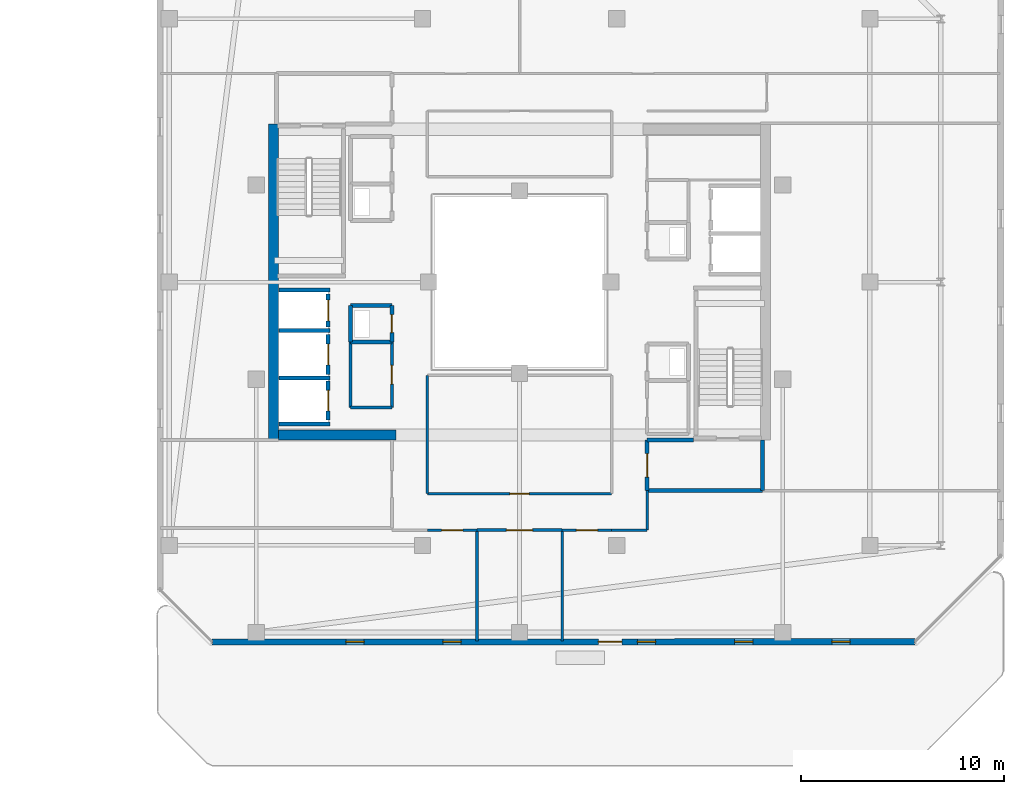
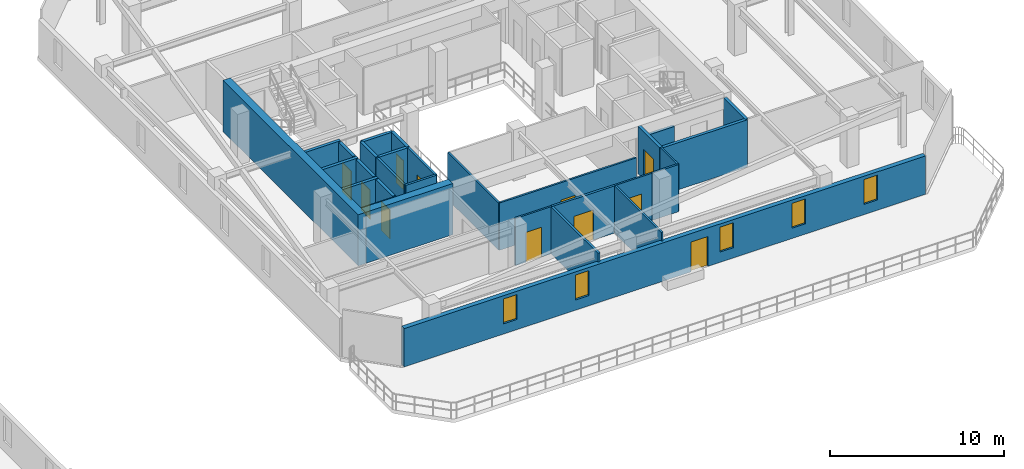
# One storey, part 22 of 31: 30 walls, 11 doors, 5 windows, 16 openings.
"""IFC4 building model written with IfcOpenShell, lengths in metres."""

from ifc_helpers import new_model, si_unit, direction, frame, frame_2d, origin, place, context, subcontext, project, spatial, rectangle, extrude, material, layer, layer_set, type_object, element, fill, save


model = new_model("IFC4")

# Units and contexts
model_context = context("Model", 3, precision=1e-05, world=origin(), true_north=direction((0.0, 1.0)))
body_context = subcontext(model_context, "Body", "Model", "MODEL_VIEW")
ifc_project = project(units=[si_unit("LENGTHUNIT", "METRE"), si_unit("AREAUNIT", "SQUARE_METRE"), si_unit("VOLUMEUNIT", "CUBIC_METRE"), si_unit("PLANEANGLEUNIT", "RADIAN"), si_unit("MASSUNIT", "GRAM", prefix="KILO")], contexts=[model_context])

# Site, building, storey
site_placement = place(None, origin())
site = spatial("IfcSite", under=ifc_project, at=site_placement, CompositionType="ELEMENT")
building_placement = place(site_placement, origin())
building = spatial("IfcBuilding", under=site, at=building_placement, Name="Thornwick Lancets Civic Towers", CompositionType="ELEMENT")
storey_placement = place(building_placement, frame((0.0, 0.0, 254.699951171875)))
storey = spatial("IfcBuildingStorey", under=building, at=storey_placement, Name="L68", CompositionType="ELEMENT", Elevation=254.699951171875)

# Wall, opening, door
ifc_material_1 = material(Name="Concrete blockwork C40/50", Category="masonry")
ifc_layer_1 = layer(ifc_material_1, 0.199951171875, Name="Concrete blockwork C40/50")
ifc_layer_set_1 = layer_set([ifc_layer_1], Name="Concrete blockwork C40/50")
wall_type_1 = type_object("IfcWallType", Name="WALL_COMP_200", PredefinedType="STANDARD", material=ifc_layer_set_1)
wall_1_placement = place(storey_placement, frame((79.050048828125, 24.780029296875, 0.0), z_axis=(0.0, 0.0, 1.0), x_axis=(0.0, 1.0, 0.0)))
wall_1 = element("IfcWall", 1, at=wall_1_placement, inside=storey, type_object=wall_type_1, Name="L68 Hoistway Front Wall FL-B2", PredefinedType="STANDARD", context=body_context, shape_type="SweptSolid", body=[
    extrude(rectangle(XDim=1.639892578125, YDim=0.199951171875, at=frame_2d((0.81982421875, 0.0))), origin(), (0.0, 0.0, 1.0), 3.320068359375),
])
opening_1_placement = place(wall_1_placement, frame((0.31005859375, 0.0, 0.0)))
opening_1 = element("IfcOpeningElement", 2, at=opening_1_placement, cuts=wall_1, Name="Opening LD-FL-B2", PredefinedType="OPENING", context=body_context, shape_type="SweptSolid", body=[
    extrude(rectangle(XDim=1.02001953125, YDim=2.06005859375, at=frame_2d((0.510009765625, 1.030029296875))), frame((0.0, 0.10986328125, 0.0), z_axis=(0.0, -1.0, 0.0), x_axis=(1.0, 0.0, 0.0)), (0.0, 0.0, 1.0), 0.219970703125),
])
ifc_material_2 = material(Name="Brushed bronze stainless steel", Category="steel")
door_type_1 = type_object("IfcDoorType", Name="DOOR_LIFT_SLIDE", OperationType="SLIDING_TO_LEFT", PredefinedType="DOOR", material=ifc_material_2)
door_1_placement = place(opening_1_placement, origin())
door_1 = element("IfcDoor", 3, at=door_1_placement, inside=storey, type_object=door_type_1, Name="L68 Sliding Lift Landing Door LD-FL-B2", OperationType="SLIDING_TO_LEFT", OverallHeight=2.06005859375, OverallWidth=1.02001953125, PredefinedType="DOOR", context=body_context, shape_type="SweptSolid", body=[
    extrude(rectangle(XDim=1.02001953125, YDim=2.06005859375, at=frame_2d((0.510009765625, 1.030029296875))), frame((0.0, 0.02490234375, 0.0), z_axis=(0.0, -1.0, 0.0), x_axis=(1.0, 0.0, 0.0)), (0.0, 0.0, 1.0), 0.050048828125),
])
fill(opening_1, door_1)

wall_2_placement = place(storey_placement, frame((79.050048828125, 22.429931640625, 0.0), z_axis=(0.0, 0.0, 1.0), x_axis=(0.0, 1.0, 0.0)))
wall_2 = element("IfcWall", 4, at=wall_2_placement, inside=storey, type_object=wall_type_1, Name="L68 Hoistway Front Wall PL-BH2", PredefinedType="STANDARD", context=body_context, shape_type="SweptSolid", body=[
    extrude(rectangle(XDim=1.989990234375, YDim=0.199951171875, at=frame_2d((0.9951171875, 0.0))), origin(), (0.0, 0.0, 1.0), 3.320068359375),
])
opening_2_placement = place(wall_2_placement, frame((0.485107421875, 0.0, 0.0)))
opening_2 = element("IfcOpeningElement", 5, at=opening_2_placement, cuts=wall_2, Name="Opening LD-PL-BH2", PredefinedType="OPENING", context=body_context, shape_type="SweptSolid", body=[
    extrude(rectangle(XDim=1.02001953125, YDim=2.06005859375, at=frame_2d((0.510009765625, 1.030029296875))), frame((0.0, 0.10986328125, 0.0), z_axis=(0.0, -1.0, 0.0), x_axis=(1.0, 0.0, 0.0)), (0.0, 0.0, 1.0), 0.219970703125),
])
door_2_placement = place(opening_2_placement, origin())
door_2 = element("IfcDoor", 6, at=door_2_placement, inside=storey, type_object=door_type_1, Name="L68 Sliding Lift Landing Door LD-PL-BH2", OperationType="SLIDING_TO_LEFT", OverallHeight=2.06005859375, OverallWidth=1.02001953125, PredefinedType="DOOR", context=body_context, shape_type="SweptSolid", body=[
    extrude(rectangle(XDim=1.02001953125, YDim=2.06005859375, at=frame_2d((0.510009765625, 1.030029296875))), frame((0.0, 0.02490234375, 0.0), z_axis=(0.0, -1.0, 0.0), x_axis=(1.0, 0.0, 0.0)), (0.0, 0.0, 1.0), 0.050048828125),
])
fill(opening_2, door_2)

wall_3_placement = place(storey_placement, frame((79.050048828125, 20.179931640625, 0.0), z_axis=(0.0, 0.0, 1.0), x_axis=(0.0, 1.0, 0.0)))
wall_3 = element("IfcWall", 7, at=wall_3_placement, inside=storey, type_object=wall_type_1, Name="L68 Hoistway Front Wall PL-BH3", PredefinedType="STANDARD", context=body_context, shape_type="SweptSolid", body=[
    extrude(rectangle(XDim=1.940185546875, YDim=0.199951171875, at=frame_2d((0.97021484375, 0.0))), origin(), (0.0, 0.0, 1.0), 3.320068359375),
])
opening_3_placement = place(wall_3_placement, frame((0.4599609375, 0.0, 0.0)))
opening_3 = element("IfcOpeningElement", 8, at=opening_3_placement, cuts=wall_3, Name="Opening LD-PL-BH3", PredefinedType="OPENING", context=body_context, shape_type="SweptSolid", body=[
    extrude(rectangle(XDim=1.02001953125, YDim=2.06005859375, at=frame_2d((0.510009765625, 1.030029296875))), frame((0.0, 0.10986328125, 0.0), z_axis=(0.0, -1.0, 0.0), x_axis=(1.0, 0.0, 0.0)), (0.0, 0.0, 1.0), 0.219970703125),
])
door_3_placement = place(opening_3_placement, origin())
door_3 = element("IfcDoor", 9, at=door_3_placement, inside=storey, type_object=door_type_1, Name="L68 Sliding Lift Landing Door LD-PL-BH3", OperationType="SLIDING_TO_LEFT", OverallHeight=2.06005859375, OverallWidth=1.02001953125, PredefinedType="DOOR", context=body_context, shape_type="SweptSolid", body=[
    extrude(rectangle(XDim=1.02001953125, YDim=2.06005859375, at=frame_2d((0.510009765625, 1.030029296875))), frame((0.0, 0.02490234375, 0.0), z_axis=(0.0, -1.0, 0.0), x_axis=(1.0, 0.0, 0.0)), (0.0, 0.0, 1.0), 0.050048828125),
])
fill(opening_3, door_3)

# Walls
for number, where, z_axis, x_axis, name in (
    (10, (76.612060546875, 26.60009765625, 0.0), (0.0, 0.0, 1.0), (1.0, 0.0, 0.0), "L68 Hoistway Shaft Wall FL-B2 N"),
    (11, (76.612060546875, 24.60009765625, 0.0), (0.0, 0.0, 1.0), (1.0, 0.0, 0.0), "L68 Hoistway Shaft Wall FL-B2 S"),
    (12, (76.612060546875, 22.27490234375, 0.0), (0.0, 0.0, 1.0), (1.0, 0.0, 0.0), "L68 Hoistway Shaft Wall PL-BH2 S"),
    (13, (76.612060546875, 20.0, 0.0), (0.0, 0.0, 1.0), (1.0, 0.0, 0.0), "L68 Hoistway Shaft Wall PL-BH3 S"),
):
    element("IfcWall", number, at=place(storey_placement, frame(where, z_axis=z_axis, x_axis=x_axis)), inside=storey, type_object=wall_type_1, Name=name, PredefinedType="STANDARD", context=body_context, shape_type="SweptSolid", body=[
        extrude(rectangle(XDim=2.535888671875, YDim=0.199951171875, at=frame_2d((1.26806640625, 0.0))), origin(), (0.0, 0.0, 1.0), 3.320068359375),
    ])
wall_4_placement = place(storey_placement, frame((94.800048828125, 16.699951171875, 0.0), z_axis=(0.0, 0.0, 1.0), x_axis=(1.0, 0.0, 0.0)))
element("IfcWall", 14, at=wall_4_placement, inside=storey, type_object=wall_type_1, Name="L68 Partition L68-B-FFLOB1 E1", PredefinedType="STANDARD", context=body_context, shape_type="SweptSolid", body=[
    extrude(rectangle(XDim=5.699951171875, YDim=0.199951171875, at=frame_2d((2.85009765625, 0.0))), origin(), (0.0, 0.0, 1.0), 3.320068359375),
])
wall_5_placement = place(storey_placement, frame((100.5, 16.699951171875, 0.0), z_axis=(0.0, 0.0, 1.0), x_axis=(0.0, 1.0, 0.0)))
element("IfcWall", 15, at=wall_5_placement, inside=storey, type_object=wall_type_1, Name="L68 Partition L68-B-FFLOB1 E2", PredefinedType="STANDARD", context=body_context, shape_type="SweptSolid", body=[
    extrude(rectangle(XDim=2.5, YDim=0.199951171875, at=frame_2d((1.25, 0.0))), origin(), (0.0, 0.0, 1.0), 3.320068359375),
])
wall_6_placement = place(storey_placement, frame((97.10009765625, 19.199951171875, 0.0), z_axis=(0.0, 0.0, 1.0), x_axis=(-1.0, 0.0, 0.0)))
element("IfcWall", 16, at=wall_6_placement, inside=storey, type_object=wall_type_1, Name="L68 Partition L68-B-FFLOB1 E3", PredefinedType="STANDARD", context=body_context, shape_type="SweptSolid", body=[
    extrude(rectangle(XDim=2.300048828125, YDim=0.199951171875, at=frame_2d((1.14990234375, 0.0))), origin(), (0.0, 0.0, 1.0), 2.525146484375),
])

# Wall, opening, door
wall_7_placement = place(storey_placement, frame((94.800048828125, 19.199951171875, 0.0), z_axis=(0.0, 0.0, 1.0), x_axis=(0.0, -1.0, 0.0)))
wall_7 = element("IfcWall", 17, at=wall_7_placement, inside=storey, type_object=wall_type_1, Name="L68 Partition L68-B-FFLOB1 E4", PredefinedType="STANDARD", context=body_context, shape_type="SweptSolid", body=[
    extrude(rectangle(XDim=2.5, YDim=0.199951171875, at=frame_2d((1.25, 0.0))), origin(), (0.0, 0.0, 1.0), 3.320068359375),
])
opening_4_placement = place(wall_7_placement, frame((0.675048828125, 0.0, 0.0)))
opening_4 = element("IfcOpeningElement", 18, at=opening_4_placement, cuts=wall_7, Name="Opening D-L68-3102", PredefinedType="OPENING", context=body_context, shape_type="SweptSolid", body=[
    extrude(rectangle(XDim=1.14990234375, YDim=2.10009765625, at=frame_2d((0.574951171875, 1.050048828125))), frame((0.0, 0.10986328125, 0.0), z_axis=(0.0, -1.0, 0.0), x_axis=(1.0, 0.0, 0.0)), (0.0, 0.0, 1.0), 0.219970703125),
])
ifc_material_3 = material(Name="Glazed fire-resisting steel", Category="steel")
door_type_2 = type_object("IfcDoorType", Name="DOOR_LOBBY_FD60", OperationType="NOTDEFINED", PredefinedType="DOOR", material=ifc_material_3)
door_4_placement = place(opening_4_placement, origin())
door_4 = element("IfcDoor", 19, at=door_4_placement, inside=storey, type_object=door_type_2, Name="L68 East Firefighting Lobby 1 Door", OperationType="SINGLE_SWING_LEFT", OverallHeight=2.10009765625, OverallWidth=1.14990234375, PredefinedType="DOOR", context=body_context, shape_type="SweptSolid", body=[
    extrude(rectangle(XDim=1.14990234375, YDim=2.10009765625, at=frame_2d((0.574951171875, 1.050048828125))), frame((0.0, 0.02490234375, 0.0), z_axis=(0.0, -1.0, 0.0), x_axis=(1.0, 0.0, 0.0)), (0.0, 0.0, 1.0), 0.050048828125),
])
fill(opening_4, door_4)

# Wall
wall_8_placement = place(storey_placement, frame((80.14990234375, 24.050048828125, 0.0), z_axis=(0.0, 0.0, 1.0), x_axis=(1.0, 0.0, 0.0)))
element("IfcWall", 20, at=wall_8_placement, inside=storey, type_object=wall_type_1, Name="L68 Partition L68-B-DUCT2 E1", PredefinedType="STANDARD", context=body_context, shape_type="SweptSolid", body=[
    extrude(rectangle(XDim=2.050048828125, YDim=0.199951171875, at=frame_2d((1.02490234375, 0.0))), origin(), (0.0, 0.0, 1.0), 3.320068359375),
])

# Wall, opening, door
wall_9_placement = place(storey_placement, frame((82.199951171875, 24.050048828125, 0.0), z_axis=(0.0, 0.0, 1.0), x_axis=(0.0, 1.0, 0.0)))
wall_9 = element("IfcWall", 21, at=wall_9_placement, inside=storey, type_object=wall_type_1, Name="L68 Partition L68-B-DUCT2 E2", PredefinedType="STANDARD", context=body_context, shape_type="SweptSolid", body=[
    extrude(rectangle(XDim=1.800048828125, YDim=0.199951171875, at=frame_2d((0.89990234375, 0.0))), origin(), (0.0, 0.0, 1.0), 3.320068359375),
])
opening_5_placement = place(wall_9_placement, frame((0.4599609375, 0.0, 0.0)))
opening_5 = element("IfcOpeningElement", 22, at=opening_5_placement, cuts=wall_9, Name="Opening D-L68-3106", PredefinedType="OPENING", context=body_context, shape_type="SweptSolid", body=[
    extrude(rectangle(XDim=0.8798828125, YDim=2.0400390625, at=frame_2d((0.43994140625, 1.02001953125))), frame((0.0, 0.10986328125, 0.0), z_axis=(0.0, -1.0, 0.0), x_axis=(1.0, 0.0, 0.0)), (0.0, 0.0, 1.0), 0.219970703125),
])
ifc_material_4 = material(Name="Steel riser access doorset", Category="steel")
door_type_3 = type_object("IfcDoorType", Name="DOOR_RISER_850", OperationType="NOTDEFINED", PredefinedType="DOOR", material=ifc_material_4)
door_5_placement = place(opening_5_placement, origin())
door_5 = element("IfcDoor", 23, at=door_5_placement, inside=storey, type_object=door_type_3, Name="L68 West Service Duct 2 Door", OperationType="SINGLE_SWING_LEFT", OverallHeight=2.0400390625, OverallWidth=0.8798828125, PredefinedType="DOOR", context=body_context, shape_type="SweptSolid", body=[
    extrude(rectangle(XDim=0.8798828125, YDim=2.0400390625, at=frame_2d((0.43994140625, 1.02001953125))), frame((0.0, 0.02490234375, 0.0), z_axis=(0.0, -1.0, 0.0), x_axis=(1.0, 0.0, 0.0)), (0.0, 0.0, 1.0), 0.050048828125),
])
fill(opening_5, door_5)

# Walls
wall_10_placement = place(storey_placement, frame((82.199951171875, 25.85009765625, 0.0), z_axis=(0.0, 0.0, 1.0), x_axis=(-1.0, 0.0, 0.0)))
element("IfcWall", 24, at=wall_10_placement, inside=storey, type_object=wall_type_1, Name="L68 Partition L68-B-DUCT2 E3", PredefinedType="STANDARD", context=body_context, shape_type="SweptSolid", body=[
    extrude(rectangle(XDim=2.050048828125, YDim=0.199951171875, at=frame_2d((1.02490234375, 0.0))), origin(), (0.0, 0.0, 1.0), 3.320068359375),
])
wall_11_placement = place(storey_placement, frame((80.14990234375, 25.85009765625, 0.0), z_axis=(0.0, 0.0, 1.0), x_axis=(0.0, -1.0, 0.0)))
element("IfcWall", 25, at=wall_11_placement, inside=storey, type_object=wall_type_1, Name="L68 Partition L68-B-DUCT2 E4", PredefinedType="STANDARD", context=body_context, shape_type="SweptSolid", body=[
    extrude(rectangle(XDim=1.800048828125, YDim=0.199951171875, at=frame_2d((0.89990234375, 0.0))), origin(), (0.0, 0.0, 1.0), 3.320068359375),
])
ifc_material_5 = material(Name="Concrete C50/60", Category="concrete")
ifc_layer_2 = layer(ifc_material_5, 0.5, Name="Concrete C50/60")
ifc_layer_set_2 = layer_set([ifc_layer_2], Name="Concrete C50/60")
wall_type_2 = type_object("IfcWallType", Name="WALL_CORE_500", PredefinedType="SHEAR", material=ifc_layer_set_2)
wall_12_placement = place(storey_placement, frame((76.35009765625, 19.199951171875, 0.0), z_axis=(0.0, 0.0, 1.0), x_axis=(0.0, 1.0, 0.0)))
element("IfcWall", 26, at=wall_12_placement, inside=storey, type_object=wall_type_2, Name="L68 Split Core B2 Shear Wall W", PredefinedType="SHEAR", context=body_context, shape_type="SweptSolid", body=[
    extrude(rectangle(XDim=15.60009765625, YDim=0.5, at=frame_2d((7.800048828125, 0.0))), origin(), (0.0, 0.0, 1.0), 3.60009765625),
])
wall_13_placement = place(storey_placement, frame((76.60009765625, 19.449951171875, 0.0), z_axis=(0.0, 0.0, 1.0), x_axis=(1.0, 0.0, 0.0)))
element("IfcWall", 27, at=wall_13_placement, inside=storey, type_object=wall_type_2, Name="L68 Split Core B2 Shear Wall S", PredefinedType="SHEAR", context=body_context, shape_type="SweptSolid", body=[
    extrude(rectangle(XDim=5.7998046875, YDim=0.5, at=frame_2d((2.89990234375, 0.0))), origin(), (0.0, 0.0, 1.0), 3.60009765625),
])

# Wall, openings, door, windows
ifc_material_6 = material(Name="Insulated russet terracotta rainscreen on concrete C40/50", Category="masonry")
ifc_layer_3 = layer(ifc_material_6, 0.300048828125, Name="Insulated russet terracotta rainscreen on concrete C40/50")
ifc_layer_set_3 = layer_set([ifc_layer_3], Name="Insulated russet terracotta rainscreen on concrete C40/50")
wall_type_3 = type_object("IfcWallType", Name="WALL_EXT_RUSSET_300", PredefinedType="STANDARD", material=ifc_layer_set_3)
wall_14_placement = place(storey_placement, frame((73.318603515625, 9.2353515625, 0.0), z_axis=(0.0, 0.0, 1.0), x_axis=(0.999999988026, 0.000154754115, 0.0)))
wall_14 = element("IfcWall", 28, at=wall_14_placement, inside=storey, type_object=wall_type_3, Name="L68 Tower B Terracotta Facade Wall E0", PredefinedType="STANDARD", context=body_context, shape_type="SweptSolid", body=[
    extrude(rectangle(XDim=34.707275390625, YDim=0.300048828125, at=frame_2d((17.353515625, 0.0))), origin(), (0.0, 0.0, 1.0), 2.699951171875),
])
opening_6_placement = place(wall_14_placement, frame((19.07861328125, 0.0, 0.0)))
opening_6 = element("IfcOpeningElement", 29, at=opening_6_placement, cuts=wall_14, Name="Opening D-SG-L68-B0", PredefinedType="OPENING", context=body_context, shape_type="SweptSolid", body=[
    extrude(rectangle(XDim=1.14990234375, YDim=2.10009765625, at=frame_2d((0.574951171875, 1.050048828125))), frame((0.0, 0.16015625, 0.0), z_axis=(0.0, -1.0, 0.0), x_axis=(1.0, 0.0, 0.0)), (0.0, 0.0, 1.0), 0.320068359375),
])
opening_7_placement = place(wall_14_placement, frame((6.60009765625, 0.0, 0.719970703125)))
opening_7 = element("IfcOpeningElement", 30, at=opening_7_placement, cuts=wall_14, Name="Opening WL-01", PredefinedType="OPENING", context=body_context, shape_type="SweptSolid", body=[
    extrude(rectangle(XDim=0.89990234375, YDim=1.75, at=frame_2d((0.449951171875, 0.875))), frame((0.0, 0.16015625, 0.0), z_axis=(0.0, -1.0, 0.0), x_axis=(1.0, 0.0, 0.0)), (0.0, 0.0, 1.0), 0.320068359375),
])
opening_8_placement = place(wall_14_placement, frame((11.39990234375, 0.0, 0.719970703125)))
opening_8 = element("IfcOpeningElement", 31, at=opening_8_placement, cuts=wall_14, Name="Opening WL-01", PredefinedType="OPENING", context=body_context, shape_type="SweptSolid", body=[
    extrude(rectangle(XDim=0.89990234375, YDim=1.75, at=frame_2d((0.449951171875, 0.875))), frame((0.0, 0.16015625, 0.0), z_axis=(0.0, -1.0, 0.0), x_axis=(1.0, 0.0, 0.0)), (0.0, 0.0, 1.0), 0.320068359375),
])
opening_9_placement = place(wall_14_placement, frame((21.0, 0.0, 0.719970703125)))
opening_9 = element("IfcOpeningElement", 32, at=opening_9_placement, cuts=wall_14, Name="Opening WL-01", PredefinedType="OPENING", context=body_context, shape_type="SweptSolid", body=[
    extrude(rectangle(XDim=0.89990234375, YDim=1.75, at=frame_2d((0.449951171875, 0.875))), frame((0.0, 0.16015625, 0.0), z_axis=(0.0, -1.0, 0.0), x_axis=(1.0, 0.0, 0.0)), (0.0, 0.0, 1.0), 0.320068359375),
])
opening_10_placement = place(wall_14_placement, frame((25.800048828125, 0.0, 0.719970703125)))
opening_10 = element("IfcOpeningElement", 33, at=opening_10_placement, cuts=wall_14, Name="Opening WL-01", PredefinedType="OPENING", context=body_context, shape_type="SweptSolid", body=[
    extrude(rectangle(XDim=0.89990234375, YDim=1.75, at=frame_2d((0.449951171875, 0.875))), frame((0.0, 0.16015625, 0.0), z_axis=(0.0, -1.0, 0.0), x_axis=(1.0, 0.0, 0.0)), (0.0, 0.0, 1.0), 0.320068359375),
])
opening_11_placement = place(wall_14_placement, frame((30.60009765625, 0.0, 0.719970703125)))
opening_11 = element("IfcOpeningElement", 34, at=opening_11_placement, cuts=wall_14, Name="Opening WL-01", PredefinedType="OPENING", context=body_context, shape_type="SweptSolid", body=[
    extrude(rectangle(XDim=0.89990234375, YDim=1.75, at=frame_2d((0.449951171875, 0.875))), frame((0.0, 0.16015625, 0.0), z_axis=(0.0, -1.0, 0.0), x_axis=(1.0, 0.0, 0.0)), (0.0, 0.0, 1.0), 0.320068359375),
])
ifc_material_7 = material(Name="Thermally broken glazed terrace doorset")
door_type_4 = type_object("IfcDoorType", Name="DOOR_TERRACE_1200", OperationType="NOTDEFINED", PredefinedType="DOOR", material=ifc_material_7)
door_6_placement = place(opening_6_placement, origin())
door_6 = element("IfcDoor", 35, at=door_6_placement, inside=storey, type_object=door_type_4, Name="L68 Tower B Sky-Garden Terrace Door", OperationType="SINGLE_SWING_RIGHT", OverallHeight=2.10009765625, OverallWidth=1.14990234375, PredefinedType="DOOR", context=body_context, shape_type="SweptSolid", body=[
    extrude(rectangle(XDim=1.14990234375, YDim=2.10009765625, at=frame_2d((0.574951171875, 1.050048828125))), frame((0.0, 0.02490234375, 0.0), z_axis=(0.0, -1.0, 0.0), x_axis=(1.0, 0.0, 0.0)), (0.0, 0.0, 1.0), 0.050048828125),
])
fill(opening_6, door_6)
ifc_material_8 = material(Name="Clear low-e double glazing in bronze frame", Category="glass")
window_type = type_object("IfcWindowType", Name="WIN_LANCET_900", PartitioningType="SINGLE_PANEL", PredefinedType="WINDOW", material=ifc_material_8)
window_1_placement = place(opening_7_placement, origin())
window_1 = element("IfcWindow", 36, at=window_1_placement, inside=storey, type_object=window_type, Name="L68 Tower B Staggered Lancet Window E0-1", OverallHeight=1.75, OverallWidth=0.89990234375, PartitioningType="SINGLE_PANEL", PredefinedType="WINDOW", context=body_context, shape_type="SweptSolid", body=[
    extrude(rectangle(XDim=0.89990234375, YDim=1.75, at=frame_2d((0.449951171875, 0.875))), frame((0.0, 0.030029296875, 0.0), z_axis=(0.0, -1.0, 0.0), x_axis=(1.0, 0.0, 0.0)), (0.0, 0.0, 1.0), 0.06005859375),
])
fill(opening_7, window_1)
window_2_placement = place(opening_8_placement, origin())
window_2 = element("IfcWindow", 37, at=window_2_placement, inside=storey, type_object=window_type, Name="L68 Tower B Staggered Lancet Window E0-2", OverallHeight=1.75, OverallWidth=0.89990234375, PartitioningType="SINGLE_PANEL", PredefinedType="WINDOW", context=body_context, shape_type="SweptSolid", body=[
    extrude(rectangle(XDim=0.89990234375, YDim=1.75, at=frame_2d((0.449951171875, 0.875))), frame((0.0, 0.030029296875, 0.0), z_axis=(0.0, -1.0, 0.0), x_axis=(1.0, 0.0, 0.0)), (0.0, 0.0, 1.0), 0.06005859375),
])
fill(opening_8, window_2)
window_3_placement = place(opening_9_placement, origin())
window_3 = element("IfcWindow", 38, at=window_3_placement, inside=storey, type_object=window_type, Name="L68 Tower B Staggered Lancet Window E0-3", OverallHeight=1.75, OverallWidth=0.89990234375, PartitioningType="SINGLE_PANEL", PredefinedType="WINDOW", context=body_context, shape_type="SweptSolid", body=[
    extrude(rectangle(XDim=0.89990234375, YDim=1.75, at=frame_2d((0.449951171875, 0.875))), frame((0.0, 0.030029296875, 0.0), z_axis=(0.0, -1.0, 0.0), x_axis=(1.0, 0.0, 0.0)), (0.0, 0.0, 1.0), 0.06005859375),
])
fill(opening_9, window_3)
window_4_placement = place(opening_10_placement, origin())
window_4 = element("IfcWindow", 39, at=window_4_placement, inside=storey, type_object=window_type, Name="L68 Tower B Staggered Lancet Window E0-4", OverallHeight=1.75, OverallWidth=0.89990234375, PartitioningType="SINGLE_PANEL", PredefinedType="WINDOW", context=body_context, shape_type="SweptSolid", body=[
    extrude(rectangle(XDim=0.89990234375, YDim=1.75, at=frame_2d((0.449951171875, 0.875))), frame((0.0, 0.030029296875, 0.0), z_axis=(0.0, -1.0, 0.0), x_axis=(1.0, 0.0, 0.0)), (0.0, 0.0, 1.0), 0.06005859375),
])
fill(opening_10, window_4)
window_5_placement = place(opening_11_placement, origin())
window_5 = element("IfcWindow", 40, at=window_5_placement, inside=storey, type_object=window_type, Name="L68 Tower B Staggered Lancet Window E0-5", OverallHeight=1.75, OverallWidth=0.89990234375, PartitioningType="SINGLE_PANEL", PredefinedType="WINDOW", context=body_context, shape_type="SweptSolid", body=[
    extrude(rectangle(XDim=0.89990234375, YDim=1.75, at=frame_2d((0.449951171875, 0.875))), frame((0.0, 0.030029296875, 0.0), z_axis=(0.0, -1.0, 0.0), x_axis=(1.0, 0.0, 0.0)), (0.0, 0.0, 1.0), 0.06005859375),
])
fill(opening_11, window_5)

# Wall
ifc_material_9 = material(Name="Acoustic gypsum board partition")
ifc_layer_4 = layer(ifc_material_9, 0.1201171875, Name="Acoustic gypsum board partition")
ifc_layer_set_4 = layer_set([ifc_layer_4], Name="Acoustic gypsum board partition")
wall_type_4 = type_object("IfcWallType", Name="WALL_PART_120", PredefinedType="PARTITIONING", material=ifc_layer_set_4)
wall_15_placement = place(storey_placement, frame((90.60009765625, 9.280029296875, 0.0), z_axis=(0.0, 0.0, 1.0), x_axis=(0.0, 1.0, 0.0)))
element("IfcWall", 41, at=wall_15_placement, inside=storey, type_object=wall_type_4, Name="L68 Partition L68-B-W1 E2", PredefinedType="PARTITIONING", context=body_context, shape_type="SweptSolid", body=[
    extrude(rectangle(XDim=5.469970703125, YDim=0.1201171875, at=frame_2d((2.73486328125, 0.0))), origin(), (0.0, 0.0, 1.0), 3.320068359375),
])

# Wall, opening, door
wall_16_placement = place(storey_placement, frame((90.60009765625, 14.75, 0.0), z_axis=(0.0, 0.0, 1.0), x_axis=(1.0, 0.0, 0.0)))
wall_16 = element("IfcWall", 42, at=wall_16_placement, inside=storey, type_object=wall_type_4, Name="L68 Partition L68-B-W1 E3", PredefinedType="PARTITIONING", context=body_context, shape_type="SweptSolid", body=[
    extrude(rectangle(XDim=2.449951171875, YDim=0.1201171875, at=frame_2d((1.22509765625, 0.0))), origin(), (0.0, 0.0, 1.0), 3.320068359375),
])
opening_12_placement = place(wall_16_placement, frame((0.699951171875, 0.0, 0.0)))
opening_12 = element("IfcOpeningElement", 43, at=opening_12_placement, cuts=wall_16, Name="Opening D-L68-3124", PredefinedType="OPENING", context=body_context, shape_type="SweptSolid", body=[
    extrude(rectangle(XDim=1.050048828125, YDim=2.10009765625, at=frame_2d((0.52490234375, 1.050048828125))), frame((0.0, 0.070068359375, 0.0), z_axis=(0.0, -1.0, 0.0), x_axis=(1.0, 0.0, 0.0)), (0.0, 0.0, 1.0), 0.14013671875),
])
ifc_material_10 = material(Name="Glazed European oak executive doorset")
door_type_5 = type_object("IfcDoorType", Name="DOOR_OFFICE_1050", OperationType="NOTDEFINED", PredefinedType="DOOR", material=ifc_material_10)
door_7_placement = place(opening_12_placement, origin())
door_7 = element("IfcDoor", 44, at=door_7_placement, inside=storey, type_object=door_type_5, Name="L68 Tower B Ministry Directorate Office W1 Door", OperationType="SINGLE_SWING_LEFT", OverallHeight=2.10009765625, OverallWidth=1.050048828125, PredefinedType="DOOR", context=body_context, shape_type="SweptSolid", body=[
    extrude(rectangle(XDim=1.050048828125, YDim=2.10009765625, at=frame_2d((0.52490234375, 1.050048828125))), frame((0.0, 0.02490234375, 0.0), z_axis=(0.0, -1.0, 0.0), x_axis=(1.0, 0.0, 0.0)), (0.0, 0.0, 1.0), 0.050048828125),
])
fill(opening_12, door_7)

# Walls
wall_17_placement = place(storey_placement, frame((93.050048828125, 14.75, 0.0), z_axis=(0.0, 0.0, 1.0), x_axis=(1.0, 0.0, 0.0)))
element("IfcWall", 45, at=wall_17_placement, inside=storey, type_object=wall_type_4, Name="L68 Partition L68-B-W1 E4", PredefinedType="PARTITIONING", context=body_context, shape_type="SweptSolid", body=[
    extrude(rectangle(XDim=1.75, YDim=0.1201171875, at=frame_2d((0.875, 0.0))), origin(), (0.0, 0.0, 1.0), 3.320068359375),
])
wall_18_placement = place(storey_placement, frame((94.800048828125, 14.75, 0.0), z_axis=(0.0, 0.0, 1.0), x_axis=(0.0, 1.0, 0.0)))
element("IfcWall", 46, at=wall_18_placement, inside=storey, type_object=wall_type_4, Name="L68 Partition L68-B-W1 E5", PredefinedType="PARTITIONING", context=body_context, shape_type="SweptSolid", body=[
    extrude(rectangle(XDim=1.949951171875, YDim=0.1201171875, at=frame_2d((0.97509765625, 0.0))), origin(), (0.0, 0.0, 1.0), 3.320068359375),
])

# Wall, opening, door
wall_19_placement = place(storey_placement, frame((83.949951171875, 14.75, 0.0), z_axis=(0.0, 0.0, 1.0), x_axis=(1.0, 0.0, 0.0)))
wall_19 = element("IfcWall", 47, at=wall_19_placement, inside=storey, type_object=wall_type_4, Name="L68 Partition L68-B-W2B E6", PredefinedType="PARTITIONING", context=body_context, shape_type="SweptSolid", body=[
    extrude(rectangle(XDim=2.449951171875, YDim=0.1201171875, at=frame_2d((1.22509765625, 0.0))), origin(), (0.0, 0.0, 1.0), 3.320068359375),
])
opening_13_placement = place(wall_19_placement, frame((0.699951171875, 0.0, 0.0)))
opening_13 = element("IfcOpeningElement", 48, at=opening_13_placement, cuts=wall_19, Name="Opening D-L68-3126", PredefinedType="OPENING", context=body_context, shape_type="SweptSolid", body=[
    extrude(rectangle(XDim=1.050048828125, YDim=2.10009765625, at=frame_2d((0.52490234375, 1.050048828125))), frame((0.0, 0.070068359375, 0.0), z_axis=(0.0, -1.0, 0.0), x_axis=(1.0, 0.0, 0.0)), (0.0, 0.0, 1.0), 0.14013671875),
])
door_8_placement = place(opening_13_placement, origin())
door_8 = element("IfcDoor", 49, at=door_8_placement, inside=storey, type_object=door_type_5, Name="L68 Tower B Parliamentary Casework Suite W2B Door", OperationType="SINGLE_SWING_LEFT", OverallHeight=2.10009765625, OverallWidth=1.050048828125, PredefinedType="DOOR", context=body_context, shape_type="SweptSolid", body=[
    extrude(rectangle(XDim=1.050048828125, YDim=2.10009765625, at=frame_2d((0.52490234375, 1.050048828125))), frame((0.0, 0.02490234375, 0.0), z_axis=(0.0, -1.0, 0.0), x_axis=(1.0, 0.0, 0.0)), (0.0, 0.0, 1.0), 0.050048828125),
])
fill(opening_13, door_8)

# Wall
wall_20_placement = place(storey_placement, frame((83.949951171875, 16.550048828125, 0.0), z_axis=(0.0, 0.0, 1.0), x_axis=(0.0, 1.0, 0.0)))
element("IfcWall", 50, at=wall_20_placement, inside=storey, type_object=wall_type_4, Name="L68 Partition L68-B-W3 E1", PredefinedType="PARTITIONING", context=body_context, shape_type="SweptSolid", body=[
    extrude(rectangle(XDim=5.849853515625, YDim=0.1201171875, at=frame_2d((2.9248046875, 0.0))), origin(), (0.0, 0.0, 1.0), 3.320068359375),
])

# Wall, opening, door
wall_21_placement = place(storey_placement, frame((93.050048828125, 16.550048828125, 0.0), z_axis=(0.0, 0.0, 1.0), x_axis=(-1.0, 0.0, 0.0)))
wall_21 = element("IfcWall", 51, at=wall_21_placement, inside=storey, type_object=wall_type_4, Name="L68 Partition L68-B-W3 E4", PredefinedType="PARTITIONING", context=body_context, shape_type="SweptSolid", body=[
    extrude(rectangle(XDim=9.10009765625, YDim=0.1201171875, at=frame_2d((4.550048828125, 0.0))), origin(), (0.0, 0.0, 1.0), 3.320068359375),
])
opening_14_placement = place(wall_21_placement, frame((4.074951171875, 0.0, 0.0)))
opening_14 = element("IfcOpeningElement", 52, at=opening_14_placement, cuts=wall_21, Name="Opening D-L68-3127", PredefinedType="OPENING", context=body_context, shape_type="SweptSolid", body=[
    extrude(rectangle(XDim=0.949951171875, YDim=2.10009765625, at=frame_2d((0.47509765625, 1.050048828125))), frame((0.0, 0.070068359375, 0.0), z_axis=(0.0, -1.0, 0.0), x_axis=(1.0, 0.0, 0.0)), (0.0, 0.0, 1.0), 0.14013671875),
])
ifc_material_11 = material(Name="European oak acoustic doorset")
door_type_6 = type_object("IfcDoorType", Name="DOOR_OFFICE_950", OperationType="NOTDEFINED", PredefinedType="DOOR", material=ifc_material_11)
door_9_placement = place(opening_14_placement, origin())
door_9 = element("IfcDoor", 53, at=door_9_placement, inside=storey, type_object=door_type_6, Name="L68 Tower B West Atrium Gallery Suite Door", OperationType="SINGLE_SWING_RIGHT", OverallHeight=2.10009765625, OverallWidth=0.949951171875, PredefinedType="DOOR", context=body_context, shape_type="SweptSolid", body=[
    extrude(rectangle(XDim=0.949951171875, YDim=2.10009765625, at=frame_2d((0.47509765625, 1.050048828125))), frame((0.0, 0.02490234375, 0.0), z_axis=(0.0, -1.0, 0.0), x_axis=(1.0, 0.0, 0.0)), (0.0, 0.0, 1.0), 0.050048828125),
])
fill(opening_14, door_9)

# Walls
ifc_material_12 = material(Name="Twin-stud acoustic gypsum board")
ifc_layer_5 = layer(ifc_material_12, 0.14990234375, Name="Twin-stud acoustic gypsum board")
ifc_layer_set_5 = layer_set([ifc_layer_5], Name="Twin-stud acoustic gypsum board")
wall_type_5 = type_object("IfcWallType", Name="WALL_PART_150", PredefinedType="PARTITIONING", material=ifc_layer_set_5)
wall_22_placement = place(storey_placement, frame((82.199951171875, 20.800048828125, 0.0), z_axis=(0.0, 0.0, 1.0), x_axis=(-1.0, 0.0, 0.0)))
element("IfcWall", 54, at=wall_22_placement, inside=storey, type_object=wall_type_5, Name="L68 Partition L68-B-FWC E1", PredefinedType="PARTITIONING", context=body_context, shape_type="SweptSolid", body=[
    extrude(rectangle(XDim=2.050048828125, YDim=0.14990234375, at=frame_2d((1.02490234375, 0.0))), origin(), (0.0, 0.0, 1.0), 3.320068359375),
])
wall_23_placement = place(storey_placement, frame((80.14990234375, 20.800048828125, 0.0), z_axis=(0.0, 0.0, 1.0), x_axis=(0.0, 1.0, 0.0)))
element("IfcWall", 55, at=wall_23_placement, inside=storey, type_object=wall_type_5, Name="L68 Partition L68-B-FWC E2", PredefinedType="PARTITIONING", context=body_context, shape_type="SweptSolid", body=[
    extrude(rectangle(XDim=3.25, YDim=0.14990234375, at=frame_2d((1.625, 0.0))), origin(), (0.0, 0.0, 1.0), 3.320068359375),
])

# Wall, opening, door
wall_24_placement = place(storey_placement, frame((82.199951171875, 24.050048828125, 0.0), z_axis=(0.0, 0.0, 1.0), x_axis=(0.0, -1.0, 0.0)))
wall_24 = element("IfcWall", 56, at=wall_24_placement, inside=storey, type_object=wall_type_5, Name="L68 Partition L68-B-FWC E4", PredefinedType="PARTITIONING", context=body_context, shape_type="SweptSolid", body=[
    extrude(rectangle(XDim=3.25, YDim=0.14990234375, at=frame_2d((1.625, 0.0))), origin(), (0.0, 0.0, 1.0), 3.320068359375),
])
opening_15_placement = place(wall_24_placement, frame((1.1650390625, 0.0, 0.0)))
opening_15 = element("IfcOpeningElement", 57, at=opening_15_placement, cuts=wall_24, Name="Opening D-L68-3111", PredefinedType="OPENING", context=body_context, shape_type="SweptSolid", body=[
    extrude(rectangle(XDim=0.919921875, YDim=2.080078125, at=frame_2d((0.4599609375, 1.0400390625))), frame((0.0, 0.0849609375, 0.0), z_axis=(0.0, -1.0, 0.0), x_axis=(1.0, 0.0, 0.0)), (0.0, 0.0, 1.0), 0.169921875),
])
ifc_material_13 = material(Name="Moisture-resistant oak doorset")
door_type_7 = type_object("IfcDoorType", Name="DOOR_WC_900", OperationType="NOTDEFINED", PredefinedType="DOOR", material=ifc_material_13)
door_10_placement = place(opening_15_placement, origin())
door_10 = element("IfcDoor", 58, at=door_10_placement, inside=storey, type_object=door_type_7, Name="L68 Tower B Female WC Door", OperationType="SINGLE_SWING_RIGHT", OverallHeight=2.080078125, OverallWidth=0.919921875, PredefinedType="DOOR", context=body_context, shape_type="SweptSolid", body=[
    extrude(rectangle(XDim=0.919921875, YDim=2.080078125, at=frame_2d((0.4599609375, 1.0400390625))), frame((0.0, 0.02490234375, 0.0), z_axis=(0.0, -1.0, 0.0), x_axis=(1.0, 0.0, 0.0)), (0.0, 0.0, 1.0), 0.050048828125),
])
fill(opening_15, door_10)

# Wall
wall_25_placement = place(storey_placement, frame((86.39990234375, 9.280029296875, 0.0), z_axis=(0.0, 0.0, 1.0), x_axis=(0.0, 1.0, 0.0)))
element("IfcWall", 59, at=wall_25_placement, inside=storey, type_object=wall_type_5, Name="L68 Partition L68-B-W2 E3", PredefinedType="PARTITIONING", context=body_context, shape_type="SweptSolid", body=[
    extrude(rectangle(XDim=5.469970703125, YDim=0.14990234375, at=frame_2d((2.73486328125, 0.0))), origin(), (0.0, 0.0, 1.0), 3.320068359375),
])

# Wall, opening, door
wall_26_placement = place(storey_placement, frame((86.39990234375, 14.75, 0.0), z_axis=(0.0, 0.0, 1.0), x_axis=(1.0, 0.0, 0.0)))
wall_26 = element("IfcWall", 60, at=wall_26_placement, inside=storey, type_object=wall_type_5, Name="L68 Partition L68-B-W2 E4", PredefinedType="PARTITIONING", context=body_context, shape_type="SweptSolid", body=[
    extrude(rectangle(XDim=4.2001953125, YDim=0.14990234375, at=frame_2d((2.10009765625, 0.0))), origin(), (0.0, 0.0, 1.0), 3.320068359375),
])
opening_16_placement = place(wall_26_placement, frame((1.449951171875, 0.0, 0.0)))
opening_16 = element("IfcOpeningElement", 61, at=opening_16_placement, cuts=wall_26, Name="Opening D-L68-3125", PredefinedType="OPENING", context=body_context, shape_type="SweptSolid", body=[
    extrude(rectangle(XDim=1.300048828125, YDim=2.1201171875, at=frame_2d((0.64990234375, 1.06005859375))), frame((0.0, 0.0849609375, 0.0), z_axis=(0.0, -1.0, 0.0), x_axis=(1.0, 0.0, 0.0)), (0.0, 0.0, 1.0), 0.169921875),
])
ifc_material_14 = material(Name="Acoustic oak leaf-and-a-half doorset")
door_type_8 = type_object("IfcDoorType", Name="DOOR_MEET_1300", OperationType="DOUBLE_DOOR_SINGLE_SWING", PredefinedType="DOOR", material=ifc_material_14)
door_11_placement = place(opening_16_placement, origin())
door_11 = element("IfcDoor", 62, at=door_11_placement, inside=storey, type_object=door_type_8, Name="L68 Tower B Policy Briefing Room W2 Door", OperationType="DOUBLE_DOOR_SINGLE_SWING", OverallHeight=2.1201171875, OverallWidth=1.300048828125, PredefinedType="DOOR", context=body_context, shape_type="SweptSolid", body=[
    extrude(rectangle(XDim=1.300048828125, YDim=2.1201171875, at=frame_2d((0.64990234375, 1.06005859375))), frame((0.0, 0.02490234375, 0.0), z_axis=(0.0, -1.0, 0.0), x_axis=(1.0, 0.0, 0.0)), (0.0, 0.0, 1.0), 0.050048828125),
])
fill(opening_16, door_11)

save(model, "model.ifc")
